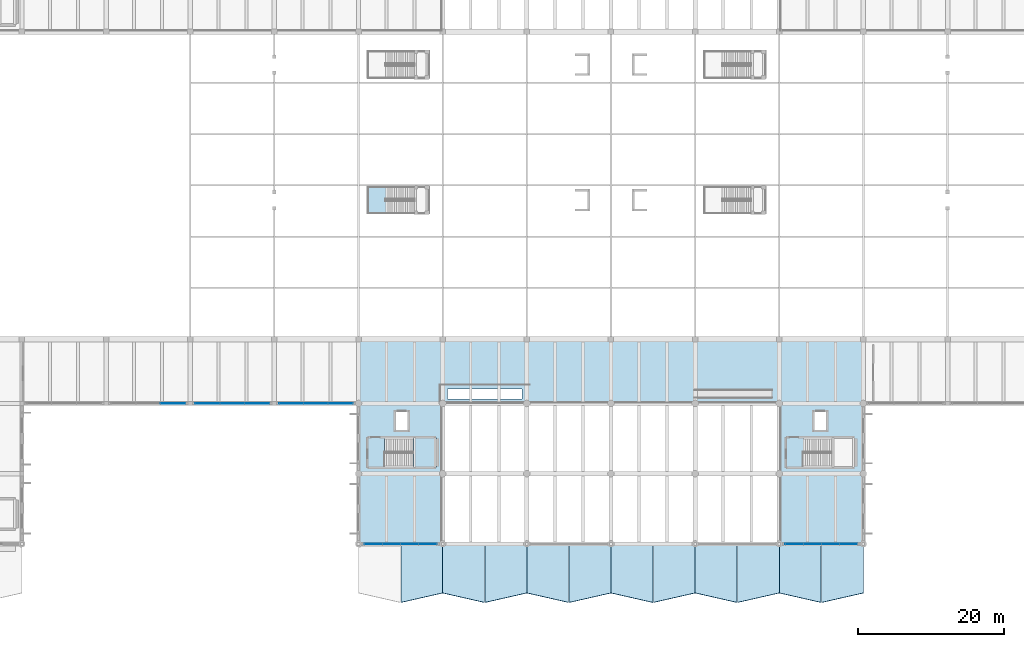
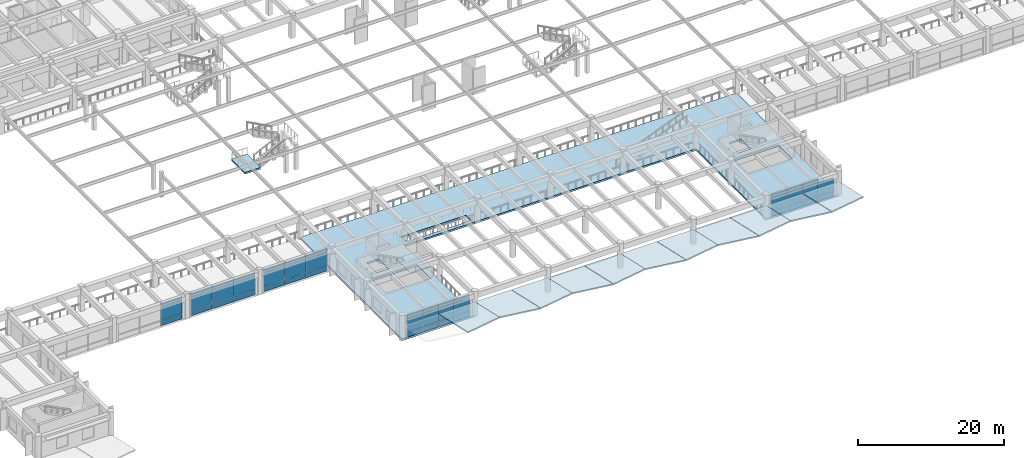
# One storey, part 64 of 98: 44 plates, 14 slabs, 6 elements without a shape of their own.
"""IFC4 building model written with IfcOpenShell, lengths in metres."""

from ifc_helpers import new_model, si_unit, direction, frame, origin, origin_2d, place, context, subcontext, project, spatial, polyline, rectangle, outline, extrude, material, layer, layer_set, type_object, element, aggregate, save


model = new_model("IFC4")

# Units and contexts
model_context = context("Model", 3, precision=1e-05, world=origin(), true_north=direction((0.0, 1.0)))
body_context = subcontext(model_context, "Body", "Model", "MODEL_VIEW")
ifc_project = project(units=[si_unit("LENGTHUNIT", "METRE"), si_unit("AREAUNIT", "SQUARE_METRE"), si_unit("VOLUMEUNIT", "CUBIC_METRE"), si_unit("PLANEANGLEUNIT", "RADIAN"), si_unit("MASSUNIT", "GRAM", prefix="KILO")], contexts=[model_context])

# Site, building, storey
site_placement = place(None, origin())
site = spatial("IfcSite", under=ifc_project, at=site_placement, CompositionType="ELEMENT")
building_placement = place(site_placement, origin())
building = spatial("IfcBuilding", under=site, at=building_placement, Name="Ologun Quay Terminus", CompositionType="ELEMENT")
storey_placement = place(building_placement, frame((0.0, 0.0, 4.199951171875)))
storey = spatial("IfcBuildingStorey", under=building, at=storey_placement, Name="L01", CompositionType="ELEMENT", Elevation=4.199951171875)

# Curtain wall, plates
ifc_material_1 = material(Name="Aluminium 6063-T6", Category="aluminium")
curtain_wall_type_1 = type_object("IfcCurtainWallType", Name="Ticket Hall Upper Portal Curtain Wall 10700x3800", PredefinedType="USERDEFINED", material=ifc_material_1)
curtain_wall_1_placement = place(storey_placement, origin())
curtain_wall_1 = element("IfcCurtainWall", 1, at=curtain_wall_1_placement, inside=storey, type_object=curtain_wall_type_1, Name="CW-02 Curtain Wall CW-L01-014", ObjectType="UNITISED CURTAIN WALL", PredefinedType="USERDEFINED")
ifc_material_2 = material(Name="Glass", Category="glass")
ifc_layer_1 = layer(ifc_material_2, 0.031982421875)
ifc_layer_set_1 = layer_set([ifc_layer_1], Name="Glass")
plate_type_1 = type_object("IfcPlateType", Name="Acoustic Low-E Laminated Glazed Panel 32", PredefinedType="CURTAIN_PANEL", material=ifc_layer_set_1)
plate_1_placement = place(storey_placement, frame((59.552490234375, 8.0, 0.93017578125), z_axis=(0.0, 0.0, 1.0), x_axis=(1.0, 0.0, 0.0)))
plate_1 = element("IfcPlate", 2, at=plate_1_placement, type_object=plate_type_1, Name="CW-L01-014 Panel B1-2", PredefinedType="CURTAIN_PANEL", context=body_context, shape_type="SweptSolid", body=[
    extrude(rectangle(XDim=2.465087890625, YDim=0.031982421875, at=origin_2d()), origin(), (0.0, 0.0, 1.0), 2.179931640625),
])
plate_2_placement = place(storey_placement, frame((59.552490234375, 8.0, 3.169921875), z_axis=(0.0, 0.0, 1.0), x_axis=(1.0, 0.0, 0.0)))
plate_2 = element("IfcPlate", 3, at=plate_2_placement, type_object=plate_type_1, Name="CW-L01-014 Panel B1-3", PredefinedType="CURTAIN_PANEL", context=body_context, shape_type="SweptSolid", body=[
    extrude(rectangle(XDim=2.465087890625, YDim=0.031982421875, at=origin_2d()), origin(), (0.0, 0.0, 1.0), 0.639892578125),
])
plate_3_placement = place(storey_placement, frame((62.017578125, 8.0, 0.93017578125), z_axis=(0.0, 0.0, 1.0), x_axis=(1.0, 0.0, 0.0)))
plate_3 = element("IfcPlate", 4, at=plate_3_placement, type_object=plate_type_1, Name="CW-L01-014 Panel B2-2", PredefinedType="CURTAIN_PANEL", context=body_context, shape_type="SweptSolid", body=[
    extrude(rectangle(XDim=2.465087890625, YDim=0.031982421875, at=origin_2d()), origin(), (0.0, 0.0, 1.0), 2.179931640625),
])
plate_4_placement = place(storey_placement, frame((62.017578125, 8.0, 3.169921875), z_axis=(0.0, 0.0, 1.0), x_axis=(1.0, 0.0, 0.0)))
plate_4 = element("IfcPlate", 5, at=plate_4_placement, type_object=plate_type_1, Name="CW-L01-014 Panel B2-3", PredefinedType="CURTAIN_PANEL", context=body_context, shape_type="SweptSolid", body=[
    extrude(rectangle(XDim=2.465087890625, YDim=0.031982421875, at=origin_2d()), origin(), (0.0, 0.0, 1.0), 0.639892578125),
])
plate_5_placement = place(storey_placement, frame((64.482421875, 8.0, 0.93017578125), z_axis=(0.0, 0.0, 1.0), x_axis=(1.0, 0.0, 0.0)))
plate_5 = element("IfcPlate", 6, at=plate_5_placement, type_object=plate_type_1, Name="CW-L01-014 Panel B3-2", PredefinedType="CURTAIN_PANEL", context=body_context, shape_type="SweptSolid", body=[
    extrude(rectangle(XDim=2.465087890625, YDim=0.031982421875, at=origin_2d()), origin(), (0.0, 0.0, 1.0), 2.179931640625),
])
plate_6_placement = place(storey_placement, frame((64.482421875, 8.0, 3.169921875), z_axis=(0.0, 0.0, 1.0), x_axis=(1.0, 0.0, 0.0)))
plate_6 = element("IfcPlate", 7, at=plate_6_placement, type_object=plate_type_1, Name="CW-L01-014 Panel B3-3", PredefinedType="CURTAIN_PANEL", context=body_context, shape_type="SweptSolid", body=[
    extrude(rectangle(XDim=2.465087890625, YDim=0.031982421875, at=origin_2d()), origin(), (0.0, 0.0, 1.0), 0.639892578125),
])
plate_7_placement = place(storey_placement, frame((66.947509765625, 8.0, 0.93017578125), z_axis=(0.0, 0.0, 1.0), x_axis=(1.0, 0.0, 0.0)))
plate_7 = element("IfcPlate", 8, at=plate_7_placement, type_object=plate_type_1, Name="CW-L01-014 Panel B4-2", PredefinedType="CURTAIN_PANEL", context=body_context, shape_type="SweptSolid", body=[
    extrude(rectangle(XDim=2.465087890625, YDim=0.031982421875, at=origin_2d()), origin(), (0.0, 0.0, 1.0), 2.179931640625),
])
plate_8_placement = place(storey_placement, frame((66.947509765625, 8.0, 3.169921875), z_axis=(0.0, 0.0, 1.0), x_axis=(1.0, 0.0, 0.0)))
plate_8 = element("IfcPlate", 9, at=plate_8_placement, type_object=plate_type_1, Name="CW-L01-014 Panel B4-3", PredefinedType="CURTAIN_PANEL", context=body_context, shape_type="SweptSolid", body=[
    extrude(rectangle(XDim=2.465087890625, YDim=0.031982421875, at=origin_2d()), origin(), (0.0, 0.0, 1.0), 0.639892578125),
])

curtain_wall_2_placement = place(storey_placement, origin())
curtain_wall_2 = element("IfcCurtainWall", 10, at=curtain_wall_2_placement, inside=storey, type_object=curtain_wall_type_1, Name="CW-02 Curtain Wall CW-L01-015", ObjectType="UNITISED CURTAIN WALL", PredefinedType="USERDEFINED")
plate_9_placement = place(storey_placement, frame((117.052490234375, 8.0, 0.93017578125), z_axis=(0.0, 0.0, 1.0), x_axis=(1.0, 0.0, 0.0)))
plate_9 = element("IfcPlate", 11, at=plate_9_placement, type_object=plate_type_1, Name="CW-L01-015 Panel B1-2", PredefinedType="CURTAIN_PANEL", context=body_context, shape_type="SweptSolid", body=[
    extrude(rectangle(XDim=2.465087890625, YDim=0.031982421875, at=origin_2d()), origin(), (0.0, 0.0, 1.0), 2.179931640625),
])
plate_10_placement = place(storey_placement, frame((117.052490234375, 8.0, 3.169921875), z_axis=(0.0, 0.0, 1.0), x_axis=(1.0, 0.0, 0.0)))
plate_10 = element("IfcPlate", 12, at=plate_10_placement, type_object=plate_type_1, Name="CW-L01-015 Panel B1-3", PredefinedType="CURTAIN_PANEL", context=body_context, shape_type="SweptSolid", body=[
    extrude(rectangle(XDim=2.465087890625, YDim=0.031982421875, at=origin_2d()), origin(), (0.0, 0.0, 1.0), 0.639892578125),
])
plate_11_placement = place(storey_placement, frame((119.517578125, 8.0, 0.93017578125), z_axis=(0.0, 0.0, 1.0), x_axis=(1.0, 0.0, 0.0)))
plate_11 = element("IfcPlate", 13, at=plate_11_placement, type_object=plate_type_1, Name="CW-L01-015 Panel B2-2", PredefinedType="CURTAIN_PANEL", context=body_context, shape_type="SweptSolid", body=[
    extrude(rectangle(XDim=2.465087890625, YDim=0.031982421875, at=origin_2d()), origin(), (0.0, 0.0, 1.0), 2.179931640625),
])
plate_12_placement = place(storey_placement, frame((119.517578125, 8.0, 3.169921875), z_axis=(0.0, 0.0, 1.0), x_axis=(1.0, 0.0, 0.0)))
plate_12 = element("IfcPlate", 14, at=plate_12_placement, type_object=plate_type_1, Name="CW-L01-015 Panel B2-3", PredefinedType="CURTAIN_PANEL", context=body_context, shape_type="SweptSolid", body=[
    extrude(rectangle(XDim=2.465087890625, YDim=0.031982421875, at=origin_2d()), origin(), (0.0, 0.0, 1.0), 0.639892578125),
])
plate_13_placement = place(storey_placement, frame((121.982421875, 8.0, 0.93017578125), z_axis=(0.0, 0.0, 1.0), x_axis=(1.0, 0.0, 0.0)))
plate_13 = element("IfcPlate", 15, at=plate_13_placement, type_object=plate_type_1, Name="CW-L01-015 Panel B3-2", PredefinedType="CURTAIN_PANEL", context=body_context, shape_type="SweptSolid", body=[
    extrude(rectangle(XDim=2.465087890625, YDim=0.031982421875, at=origin_2d()), origin(), (0.0, 0.0, 1.0), 2.179931640625),
])
plate_14_placement = place(storey_placement, frame((121.982421875, 8.0, 3.169921875), z_axis=(0.0, 0.0, 1.0), x_axis=(1.0, 0.0, 0.0)))
plate_14 = element("IfcPlate", 16, at=plate_14_placement, type_object=plate_type_1, Name="CW-L01-015 Panel B3-3", PredefinedType="CURTAIN_PANEL", context=body_context, shape_type="SweptSolid", body=[
    extrude(rectangle(XDim=2.465087890625, YDim=0.031982421875, at=origin_2d()), origin(), (0.0, 0.0, 1.0), 0.639892578125),
])
plate_15_placement = place(storey_placement, frame((124.447509765625, 8.0, 0.93017578125), z_axis=(0.0, 0.0, 1.0), x_axis=(1.0, 0.0, 0.0)))
plate_15 = element("IfcPlate", 17, at=plate_15_placement, type_object=plate_type_1, Name="CW-L01-015 Panel B4-2", PredefinedType="CURTAIN_PANEL", context=body_context, shape_type="SweptSolid", body=[
    extrude(rectangle(XDim=2.465087890625, YDim=0.031982421875, at=origin_2d()), origin(), (0.0, 0.0, 1.0), 2.179931640625),
])

# Slabs
ifc_material_3 = material(Name="Concrete C45/55", Category="concrete")
ifc_layer_2 = layer(ifc_material_3, 0.179931640625)
ifc_layer_set_2 = layer_set([ifc_layer_2], Name="Concrete C45/55")
slab_type_1 = type_object("IfcSlabType", Name="Folded Plate Concrete Canopy Slab 180", PredefinedType="ROOF", material=ifc_layer_set_2)
slab_1_placement = place(storey_placement, frame((63.280029296875, 0.0, 4.0), z_axis=(-3.569272e-06, 0.219520291869, 0.975607934288), x_axis=(0.97392089365, 0.221354342059, -0.049803093927)))
element("IfcSlab", 18, at=slab_1_placement, inside=storey, type_object=slab_type_1, Name="SL-CNP South Gull-Wing Canopy Bay 6E", PredefinedType="ROOF", context=body_context, shape_type="SweptSolid", body=[
    extrude(outline(polyline([(0.0, 0.0), (5.873136864087274, 6.938893903907228e-17), (7.431281716165817, 6.6883699571137765), (1.8604827373291908, 7.986161766913907), (0.0, 0.0)])), origin(), (0.0, 0.0, -1.0), 0.179931640625),
])
slab_2_placement = place(storey_placement, frame((69.0, 1.300048828125, 3.70751953125), z_axis=(3.569272e-06, 0.219520291869, 0.975607934288), x_axis=(0.97392089365, -0.221354342059, 0.049803093927)))
element("IfcSlab", 19, at=slab_2_placement, inside=storey, type_object=slab_type_1, Name="SL-CNP South Gull-Wing Canopy Bay 7W", PredefinedType="ROOF", context=body_context, shape_type="SweptSolid", body=[
    extrude(outline(polyline([(0.0, 0.0), (5.873136864087274, -6.938893903907228e-17), (4.012654126758083, 7.986161766913908), (-1.5581448520785426, 6.6883699571137765), (0.0, 0.0)])), origin(), (0.0, 0.0, -1.0), 0.179931640625),
])
slab_3_placement = place(storey_placement, frame((74.780029296875, 0.0, 4.0), z_axis=(-3.569272e-06, 0.219520291869, 0.975607934288), x_axis=(0.97392089365, 0.221354342059, -0.049803093927)))
element("IfcSlab", 20, at=slab_3_placement, inside=storey, type_object=slab_type_1, Name="SL-CNP South Gull-Wing Canopy Bay 7E", PredefinedType="ROOF", context=body_context, shape_type="SweptSolid", body=[
    extrude(outline(polyline([(0.0, 0.0), (5.873136864087274, 6.938893903907228e-17), (7.431281716165817, 6.6883699571137765), (1.8604827373291908, 7.986161766913907), (0.0, 0.0)])), origin(), (0.0, 0.0, -1.0), 0.179931640625),
])
slab_4_placement = place(storey_placement, frame((80.5, 1.300048828125, 3.70751953125), z_axis=(3.569272e-06, 0.219520291869, 0.975607934288), x_axis=(0.97392089365, -0.221354342059, 0.049803093927)))
element("IfcSlab", 21, at=slab_4_placement, inside=storey, type_object=slab_type_1, Name="SL-CNP South Gull-Wing Canopy Bay 8W", PredefinedType="ROOF", context=body_context, shape_type="SweptSolid", body=[
    extrude(outline(polyline([(0.0, 0.0), (5.873136864087274, -6.938893903907228e-17), (4.012654126758083, 7.986161766913908), (-1.5581448520785426, 6.6883699571137765), (0.0, 0.0)])), origin(), (0.0, 0.0, -1.0), 0.179931640625),
])
slab_5_placement = place(storey_placement, frame((86.280029296875, 0.0, 4.0), z_axis=(-3.569272e-06, 0.219520291869, 0.975607934288), x_axis=(0.97392089365, 0.221354342059, -0.049803093927)))
element("IfcSlab", 22, at=slab_5_placement, inside=storey, type_object=slab_type_1, Name="SL-CNP South Gull-Wing Canopy Bay 8E", PredefinedType="ROOF", context=body_context, shape_type="SweptSolid", body=[
    extrude(outline(polyline([(0.0, 0.0), (5.873136864087274, 6.938893903907228e-17), (7.431281716165817, 6.6883699571137765), (1.8604827373291908, 7.986161766913907), (0.0, 0.0)])), origin(), (0.0, 0.0, -1.0), 0.179931640625),
])
slab_6_placement = place(storey_placement, frame((92.0, 1.300048828125, 3.70751953125), z_axis=(3.569272e-06, 0.219520291869, 0.975607934288), x_axis=(0.97392089365, -0.221354342059, 0.049803093927)))
element("IfcSlab", 23, at=slab_6_placement, inside=storey, type_object=slab_type_1, Name="SL-CNP South Gull-Wing Canopy Bay 9W", PredefinedType="ROOF", context=body_context, shape_type="SweptSolid", body=[
    extrude(outline(polyline([(0.0, 0.0), (5.873136864087274, -6.938893903907228e-17), (4.012654126758083, 7.986161766913908), (-1.5581448520785426, 6.6883699571137765), (0.0, 0.0)])), origin(), (0.0, 0.0, -1.0), 0.179931640625),
])
slab_7_placement = place(storey_placement, frame((97.780029296875, 0.0, 4.0), z_axis=(-3.569272e-06, 0.219520291869, 0.975607934288), x_axis=(0.97392089365, 0.221354342059, -0.049803093927)))
element("IfcSlab", 24, at=slab_7_placement, inside=storey, type_object=slab_type_1, Name="SL-CNP South Gull-Wing Canopy Bay 9E", PredefinedType="ROOF", context=body_context, shape_type="SweptSolid", body=[
    extrude(outline(polyline([(0.0, 0.0), (5.873136864087274, 6.938893903907228e-17), (7.431281716165817, 6.6883699571137765), (1.8604827373291908, 7.986161766913907), (0.0, 0.0)])), origin(), (0.0, 0.0, -1.0), 0.179931640625),
])
slab_8_placement = place(storey_placement, frame((103.5, 1.300048828125, 3.70751953125), z_axis=(3.569272e-06, 0.219520291869, 0.975607934288), x_axis=(0.97392089365, -0.221354342059, 0.049803093927)))
element("IfcSlab", 25, at=slab_8_placement, inside=storey, type_object=slab_type_1, Name="SL-CNP South Gull-Wing Canopy Bay 10W", PredefinedType="ROOF", context=body_context, shape_type="SweptSolid", body=[
    extrude(outline(polyline([(0.0, 0.0), (5.873136864087274, -6.938893903907228e-17), (4.012654126758083, 7.986161766913908), (-1.5581448520785426, 6.6883699571137765), (0.0, 0.0)])), origin(), (0.0, 0.0, -1.0), 0.179931640625),
])
slab_9_placement = place(storey_placement, frame((109.280029296875, 0.0, 4.0), z_axis=(-3.569272e-06, 0.219520291869, 0.975607934288), x_axis=(0.97392089365, 0.221354342059, -0.049803093927)))
element("IfcSlab", 26, at=slab_9_placement, inside=storey, type_object=slab_type_1, Name="SL-CNP South Gull-Wing Canopy Bay 10E", PredefinedType="ROOF", context=body_context, shape_type="SweptSolid", body=[
    extrude(outline(polyline([(0.0, 0.0), (5.873136864087274, 6.938893903907228e-17), (7.431281716165817, 6.6883699571137765), (1.8604827373291908, 7.986161766913907), (0.0, 0.0)])), origin(), (0.0, 0.0, -1.0), 0.179931640625),
])
slab_10_placement = place(storey_placement, frame((115.0, 1.300048828125, 3.70751953125), z_axis=(3.569272e-06, 0.219520291869, 0.975607934288), x_axis=(0.97392089365, -0.221354342059, 0.049803093927)))
element("IfcSlab", 27, at=slab_10_placement, inside=storey, type_object=slab_type_1, Name="SL-CNP South Gull-Wing Canopy Bay 11W", PredefinedType="ROOF", context=body_context, shape_type="SweptSolid", body=[
    extrude(outline(polyline([(0.0, 0.0), (5.873136864087274, -6.938893903907228e-17), (4.012654126758083, 7.986161766913908), (-1.5581448520785426, 6.6883699571137765), (0.0, 0.0)])), origin(), (0.0, 0.0, -1.0), 0.179931640625),
])
slab_11_placement = place(storey_placement, frame((120.780029296875, 0.0, 4.0), z_axis=(-3.569272e-06, 0.219520291869, 0.975607934288), x_axis=(0.97392089365, 0.221354342059, -0.049803093927)))
element("IfcSlab", 28, at=slab_11_placement, inside=storey, type_object=slab_type_1, Name="SL-CNP South Gull-Wing Canopy Bay 11E", PredefinedType="ROOF", context=body_context, shape_type="SweptSolid", body=[
    extrude(outline(polyline([(0.0, 0.0), (5.873136864087274, 6.938893903907228e-17), (7.431281716165817, 6.6883699571137765), (1.8604827373291908, 7.986161766913907), (0.0, 0.0)])), origin(), (0.0, 0.0, -1.0), 0.179931640625),
])

# Curtain wall, plate
ifc_material_4 = material(Name="Aluminium 6063-T6", Category="aluminium")
curtain_wall_type_2 = type_object("IfcCurtainWallType", Name="Forecourt Mezzanine Curtain Wall 10700x3850", PredefinedType="USERDEFINED", material=ifc_material_4)
curtain_wall_3_placement = place(storey_placement, origin())
curtain_wall_3 = element("IfcCurtainWall", 29, at=curtain_wall_3_placement, inside=storey, type_object=curtain_wall_type_2, Name="CW-04 Curtain Wall CW-L01-011", ObjectType="UNITISED CURTAIN WALL", PredefinedType="USERDEFINED")
ifc_material_5 = material(Name="Aluminium 6063-T6", Category="aluminium")
ifc_layer_3 = layer(ifc_material_5, 0.050048828125)
ifc_layer_set_3 = layer_set([ifc_layer_3], Name="Aluminium 6063-T6")
plate_type_2 = type_object("IfcPlateType", Name="Insulated Aluminium Shadow-Box Spandrel 50", PredefinedType="CURTAIN_PANEL", material=ifc_layer_set_3)
plate_16_placement = place(storey_placement, frame((32.13671875, 27.199951171875, 0.02978515625), z_axis=(0.0, 0.0, 1.0), x_axis=(1.0, 0.0, 0.0)))
plate_16 = element("IfcPlate", 30, at=plate_16_placement, type_object=plate_type_2, Name="CW-L01-011 Panel B3-1", PredefinedType="CURTAIN_PANEL", context=body_context, shape_type="SweptSolid", body=[
    extrude(rectangle(XDim=3.38671875, YDim=0.050048828125, at=origin_2d()), origin(), (0.0, 0.0, 1.0), 0.840087890625),
])

# Curtain wall, plates
curtain_wall_4_placement = place(storey_placement, origin())
curtain_wall_4 = element("IfcCurtainWall", 31, at=curtain_wall_4_placement, inside=storey, type_object=curtain_wall_type_2, Name="CW-04 Curtain Wall CW-L01-012", ObjectType="UNITISED CURTAIN WALL", PredefinedType="USERDEFINED")
plate_17_placement = place(storey_placement, frame((36.86328125, 27.199951171875, 0.02978515625), z_axis=(0.0, 0.0, 1.0), x_axis=(1.0, 0.0, 0.0)))
plate_17 = element("IfcPlate", 32, at=plate_17_placement, type_object=plate_type_2, Name="CW-L01-012 Panel B1-1", PredefinedType="CURTAIN_PANEL", context=body_context, shape_type="SweptSolid", body=[
    extrude(rectangle(XDim=3.38671875, YDim=0.050048828125, at=origin_2d()), origin(), (0.0, 0.0, 1.0), 0.840087890625),
])
plate_18_placement = place(storey_placement, frame((40.25, 27.199951171875, 0.02978515625), z_axis=(0.0, 0.0, 1.0), x_axis=(1.0, 0.0, 0.0)))
plate_18 = element("IfcPlate", 33, at=plate_18_placement, type_object=plate_type_2, Name="CW-L01-012 Panel B2-1", PredefinedType="CURTAIN_PANEL", context=body_context, shape_type="SweptSolid", body=[
    extrude(rectangle(XDim=3.38671875, YDim=0.050048828125, at=origin_2d()), origin(), (0.0, 0.0, 1.0), 0.840087890625),
])
plate_19_placement = place(storey_placement, frame((43.63671875, 27.199951171875, 0.02978515625), z_axis=(0.0, 0.0, 1.0), x_axis=(1.0, 0.0, 0.0)))
plate_19 = element("IfcPlate", 34, at=plate_19_placement, type_object=plate_type_2, Name="CW-L01-012 Panel B3-1", PredefinedType="CURTAIN_PANEL", context=body_context, shape_type="SweptSolid", body=[
    extrude(rectangle(XDim=3.38671875, YDim=0.050048828125, at=origin_2d()), origin(), (0.0, 0.0, 1.0), 0.840087890625),
])

curtain_wall_5_placement = place(storey_placement, origin())
curtain_wall_5 = element("IfcCurtainWall", 35, at=curtain_wall_5_placement, inside=storey, type_object=curtain_wall_type_2, Name="CW-04 Curtain Wall CW-L01-013", ObjectType="UNITISED CURTAIN WALL", PredefinedType="USERDEFINED")
plate_20_placement = place(storey_placement, frame((48.33837890625, 27.199951171875, 0.02978515625), z_axis=(0.0, 0.0, 1.0), x_axis=(1.0, 0.0, 0.0)))
plate_20 = element("IfcPlate", 36, at=plate_20_placement, type_object=plate_type_2, Name="CW-L01-013 Panel B1-1", PredefinedType="CURTAIN_PANEL", context=body_context, shape_type="SweptSolid", body=[
    extrude(rectangle(XDim=3.336669921875, YDim=0.050048828125, at=origin_2d()), origin(), (0.0, 0.0, 1.0), 0.840087890625),
])
plate_21_placement = place(storey_placement, frame((51.675048828125, 27.199951171875, 0.02978515625), z_axis=(0.0, 0.0, 1.0), x_axis=(1.0, 0.0, 0.0)))
plate_21 = element("IfcPlate", 37, at=plate_21_placement, type_object=plate_type_2, Name="CW-L01-013 Panel B2-1", PredefinedType="CURTAIN_PANEL", context=body_context, shape_type="SweptSolid", body=[
    extrude(rectangle(XDim=3.336669921875, YDim=0.050048828125, at=origin_2d()), origin(), (0.0, 0.0, 1.0), 0.840087890625),
])
plate_22_placement = place(storey_placement, frame((55.01171875, 27.199951171875, 0.02978515625), z_axis=(0.0, 0.0, 1.0), x_axis=(1.0, 0.0, 0.0)))
plate_22 = element("IfcPlate", 38, at=plate_22_placement, type_object=plate_type_2, Name="CW-L01-013 Panel B3-1", PredefinedType="CURTAIN_PANEL", context=body_context, shape_type="SweptSolid", body=[
    extrude(rectangle(XDim=3.336669921875, YDim=0.050048828125, at=origin_2d()), origin(), (0.0, 0.0, 1.0), 0.840087890625),
])

# Plate
plate_23_placement = place(storey_placement, frame((59.552490234375, 8.0, 0.02978515625), z_axis=(0.0, 0.0, 1.0), x_axis=(1.0, 0.0, 0.0)))
plate_23 = element("IfcPlate", 39, at=plate_23_placement, type_object=plate_type_2, Name="CW-L01-014 Panel B1-1", PredefinedType="CURTAIN_PANEL", context=body_context, shape_type="SweptSolid", body=[
    extrude(rectangle(XDim=2.465087890625, YDim=0.050048828125, at=origin_2d()), origin(), (0.0, 0.0, 1.0), 0.840087890625),
])

plate_24_placement = place(storey_placement, frame((62.017578125, 8.0, 0.02978515625), z_axis=(0.0, 0.0, 1.0), x_axis=(1.0, 0.0, 0.0)))
plate_24 = element("IfcPlate", 40, at=plate_24_placement, type_object=plate_type_2, Name="CW-L01-014 Panel B2-1", PredefinedType="CURTAIN_PANEL", context=body_context, shape_type="SweptSolid", body=[
    extrude(rectangle(XDim=2.465087890625, YDim=0.050048828125, at=origin_2d()), origin(), (0.0, 0.0, 1.0), 0.840087890625),
])

plate_25_placement = place(storey_placement, frame((64.482421875, 8.0, 0.02978515625), z_axis=(0.0, 0.0, 1.0), x_axis=(1.0, 0.0, 0.0)))
plate_25 = element("IfcPlate", 41, at=plate_25_placement, type_object=plate_type_2, Name="CW-L01-014 Panel B3-1", PredefinedType="CURTAIN_PANEL", context=body_context, shape_type="SweptSolid", body=[
    extrude(rectangle(XDim=2.465087890625, YDim=0.050048828125, at=origin_2d()), origin(), (0.0, 0.0, 1.0), 0.840087890625),
])

plate_26_placement = place(storey_placement, frame((66.947509765625, 8.0, 0.02978515625), z_axis=(0.0, 0.0, 1.0), x_axis=(1.0, 0.0, 0.0)))
plate_26 = element("IfcPlate", 42, at=plate_26_placement, type_object=plate_type_2, Name="CW-L01-014 Panel B4-1", PredefinedType="CURTAIN_PANEL", context=body_context, shape_type="SweptSolid", body=[
    extrude(rectangle(XDim=2.465087890625, YDim=0.050048828125, at=origin_2d()), origin(), (0.0, 0.0, 1.0), 0.840087890625),
])

aggregate(curtain_wall_1, [plate_23, plate_1, plate_2, plate_24, plate_3, plate_4, plate_25, plate_5, plate_6, plate_26, plate_7, plate_8])

plate_27_placement = place(storey_placement, frame((117.052490234375, 8.0, 0.02978515625), z_axis=(0.0, 0.0, 1.0), x_axis=(1.0, 0.0, 0.0)))
plate_27 = element("IfcPlate", 43, at=plate_27_placement, type_object=plate_type_2, Name="CW-L01-015 Panel B1-1", PredefinedType="CURTAIN_PANEL", context=body_context, shape_type="SweptSolid", body=[
    extrude(rectangle(XDim=2.465087890625, YDim=0.050048828125, at=origin_2d()), origin(), (0.0, 0.0, 1.0), 0.840087890625),
])

plate_28_placement = place(storey_placement, frame((119.517578125, 8.0, 0.02978515625), z_axis=(0.0, 0.0, 1.0), x_axis=(1.0, 0.0, 0.0)))
plate_28 = element("IfcPlate", 44, at=plate_28_placement, type_object=plate_type_2, Name="CW-L01-015 Panel B2-1", PredefinedType="CURTAIN_PANEL", context=body_context, shape_type="SweptSolid", body=[
    extrude(rectangle(XDim=2.465087890625, YDim=0.050048828125, at=origin_2d()), origin(), (0.0, 0.0, 1.0), 0.840087890625),
])

plate_29_placement = place(storey_placement, frame((121.982421875, 8.0, 0.02978515625), z_axis=(0.0, 0.0, 1.0), x_axis=(1.0, 0.0, 0.0)))
plate_29 = element("IfcPlate", 45, at=plate_29_placement, type_object=plate_type_2, Name="CW-L01-015 Panel B3-1", PredefinedType="CURTAIN_PANEL", context=body_context, shape_type="SweptSolid", body=[
    extrude(rectangle(XDim=2.465087890625, YDim=0.050048828125, at=origin_2d()), origin(), (0.0, 0.0, 1.0), 0.840087890625),
])

plate_30_placement = place(storey_placement, frame((124.447509765625, 8.0, 0.02978515625), z_axis=(0.0, 0.0, 1.0), x_axis=(1.0, 0.0, 0.0)))
plate_30 = element("IfcPlate", 46, at=plate_30_placement, type_object=plate_type_2, Name="CW-L01-015 Panel B4-1", PredefinedType="CURTAIN_PANEL", context=body_context, shape_type="SweptSolid", body=[
    extrude(rectangle(XDim=2.465087890625, YDim=0.050048828125, at=origin_2d()), origin(), (0.0, 0.0, 1.0), 0.840087890625),
])

aggregate(curtain_wall_2, [plate_27, plate_9, plate_10, plate_28, plate_11, plate_12, plate_29, plate_13, plate_14, plate_30, plate_15])

# Slabs
ifc_material_6 = material(Name="Concrete C40/50", Category="concrete")
ifc_layer_4 = layer(ifc_material_6, 0.300048828125)
ifc_layer_set_4 = layer_set([ifc_layer_4], Name="Concrete C40/50")
slab_type_2 = type_object("IfcSlabType", Name="Passenger Platform Deck Slab 300", PredefinedType="FLOOR", material=ifc_layer_set_4)
slab_12_placement = place(storey_placement, frame((0.0, 0.0, -0.300048828125)))
element("IfcSlab", 47, at=slab_12_placement, inside=storey, type_object=slab_type_2, Name="SL-PLT Platform Transfer Bridge ST-P1", PredefinedType="FLOOR", context=body_context, shape_type="SweptSolid", body=[
    extrude(outline(polyline([(58.75, 53.14990234375), (61.219970703125, 53.14990234375), (61.219970703125, 56.85009765625), (58.75, 56.85009765625), (58.75, 53.14990234375)])), origin(), (0.0, 0.0, 1.0), 0.300048828125),
])
slab_13_placement = place(storey_placement, frame((0.0, 0.0, -0.300048828125)))
element("IfcSlab", 48, at=slab_13_placement, inside=storey, type_object=slab_type_2, Name="SL-PLT South Mezzanine Slab 2", PredefinedType="FLOOR", context=body_context, shape_type="SweptSolid", body=[
    extrude(outline(polyline([(57.5, 8.0), (69.0, 8.0), (69.0, 27.199951171875), (115.0, 27.199951171875), (115.0, 8.0), (126.5, 8.0), (126.5, 36.0), (57.5, 36.0), (57.5, 8.0)]), holes=[polyline([(62.449951171875, 23.449951171875), (62.449951171875, 26.14990234375), (64.35009765625, 26.14990234375), (64.35009765625, 23.449951171875), (62.449951171875, 23.449951171875)]), polyline([(119.64990234375, 23.449951171875), (119.64990234375, 26.14990234375), (121.550048828125, 26.14990234375), (121.550048828125, 23.449951171875), (119.64990234375, 23.449951171875)]), polyline([(61.080078125, 18.60009765625), (61.080078125, 22.39990234375), (68.10009765625, 22.39990234375), (68.10009765625, 18.60009765625), (61.080078125, 18.60009765625)]), polyline([(118.280029296875, 18.60009765625), (118.280029296875, 22.39990234375), (125.300048828125, 22.39990234375), (125.300048828125, 18.60009765625), (118.280029296875, 18.60009765625)]), polyline([(69.64990234375, 27.800048828125), (69.64990234375, 29.199951171875), (79.85009765625, 29.199951171875), (79.85009765625, 27.800048828125), (69.64990234375, 27.800048828125)])]), origin(), (0.0, 0.0, 1.0), 0.300048828125),
])

# Stair, slab
ifc_material_7 = material(Name="Concrete C40/50", Category="concrete")
stair_type = type_object("IfcStairType", Name="Station Concourse Escape Stair 1800", PredefinedType="HALF_TURN_STAIR", material=ifc_material_7)
stair_placement = place(storey_placement, origin())
stair = element("IfcStair", 49, at=stair_placement, inside=storey, type_object=stair_type, Name="ST-S3 Stair L01", PredefinedType="HALF_TURN_STAIR")
ifc_material_8 = material(Name="Precast Concrete C40/50", Category="concrete")
ifc_layer_5 = layer(ifc_material_8, 0.179931640625)
ifc_layer_set_5 = layer_set([ifc_layer_5], Name="Precast Concrete C40/50")
slab_type_3 = type_object("IfcSlabType", Name="Precast Stair Half-Landing Slab 180", PredefinedType="LANDING", material=ifc_layer_set_5)
slab_14_placement = place(storey_placement, frame((0.0, 0.0, 1.920166015625)))
slab_14 = element("IfcSlab", 50, at=slab_14_placement, type_object=slab_type_3, Name="ST-S3 Half-Landing L01", PredefinedType="LANDING", context=body_context, shape_type="SweptSolid", body=[
    extrude(outline(polyline([(64.919921875, 18.52001953125), (68.179931640625, 18.52001953125), (68.179931640625, 22.47998046875), (64.919921875, 22.47998046875), (64.919921875, 18.52001953125)])), origin(), (0.0, 0.0, 1.0), 0.179931640625),
])
aggregate(stair, [slab_14])

# Plate
ifc_material_9 = material(Name="Glass", Category="glass")
ifc_layer_6 = layer(ifc_material_9, 0.028076171875)
ifc_layer_set_6 = layer_set([ifc_layer_6], Name="Glass")
plate_type_3 = type_object("IfcPlateType", Name="Solar-Control Double Glazed Panel 28", PredefinedType="CURTAIN_PANEL", material=ifc_layer_set_6)
plate_31_placement = place(storey_placement, frame((32.13671875, 27.199951171875, 0.93017578125), z_axis=(0.0, 0.0, 1.0), x_axis=(1.0, 0.0, 0.0)))
plate_31 = element("IfcPlate", 51, at=plate_31_placement, type_object=plate_type_3, Name="CW-L01-011 Panel B3-2", PredefinedType="CURTAIN_PANEL", context=body_context, shape_type="SweptSolid", body=[
    extrude(rectangle(XDim=3.38671875, YDim=0.028076171875, at=origin_2d()), origin(), (0.0, 0.0, 1.0), 2.179931640625),
])

plate_32_placement = place(storey_placement, frame((32.13671875, 27.199951171875, 3.169921875), z_axis=(0.0, 0.0, 1.0), x_axis=(1.0, 0.0, 0.0)))
plate_32 = element("IfcPlate", 52, at=plate_32_placement, type_object=plate_type_3, Name="CW-L01-011 Panel B3-3", PredefinedType="CURTAIN_PANEL", context=body_context, shape_type="SweptSolid", body=[
    extrude(rectangle(XDim=3.38671875, YDim=0.028076171875, at=origin_2d()), origin(), (0.0, 0.0, 1.0), 0.639892578125),
])

aggregate(curtain_wall_3, [plate_16, plate_31, plate_32])

plate_33_placement = place(storey_placement, frame((36.86328125, 27.199951171875, 0.93017578125), z_axis=(0.0, 0.0, 1.0), x_axis=(1.0, 0.0, 0.0)))
plate_33 = element("IfcPlate", 53, at=plate_33_placement, type_object=plate_type_3, Name="CW-L01-012 Panel B1-2", PredefinedType="CURTAIN_PANEL", context=body_context, shape_type="SweptSolid", body=[
    extrude(rectangle(XDim=3.38671875, YDim=0.028076171875, at=origin_2d()), origin(), (0.0, 0.0, 1.0), 2.179931640625),
])

plate_34_placement = place(storey_placement, frame((36.86328125, 27.199951171875, 3.169921875), z_axis=(0.0, 0.0, 1.0), x_axis=(1.0, 0.0, 0.0)))
plate_34 = element("IfcPlate", 54, at=plate_34_placement, type_object=plate_type_3, Name="CW-L01-012 Panel B1-3", PredefinedType="CURTAIN_PANEL", context=body_context, shape_type="SweptSolid", body=[
    extrude(rectangle(XDim=3.38671875, YDim=0.028076171875, at=origin_2d()), origin(), (0.0, 0.0, 1.0), 0.639892578125),
])

plate_35_placement = place(storey_placement, frame((40.25, 27.199951171875, 0.93017578125), z_axis=(0.0, 0.0, 1.0), x_axis=(1.0, 0.0, 0.0)))
plate_35 = element("IfcPlate", 55, at=plate_35_placement, type_object=plate_type_3, Name="CW-L01-012 Panel B2-2", PredefinedType="CURTAIN_PANEL", context=body_context, shape_type="SweptSolid", body=[
    extrude(rectangle(XDim=3.38671875, YDim=0.028076171875, at=origin_2d()), origin(), (0.0, 0.0, 1.0), 2.179931640625),
])

plate_36_placement = place(storey_placement, frame((40.25, 27.199951171875, 3.169921875), z_axis=(0.0, 0.0, 1.0), x_axis=(1.0, 0.0, 0.0)))
plate_36 = element("IfcPlate", 56, at=plate_36_placement, type_object=plate_type_3, Name="CW-L01-012 Panel B2-3", PredefinedType="CURTAIN_PANEL", context=body_context, shape_type="SweptSolid", body=[
    extrude(rectangle(XDim=3.38671875, YDim=0.028076171875, at=origin_2d()), origin(), (0.0, 0.0, 1.0), 0.639892578125),
])

plate_37_placement = place(storey_placement, frame((43.63671875, 27.199951171875, 0.93017578125), z_axis=(0.0, 0.0, 1.0), x_axis=(1.0, 0.0, 0.0)))
plate_37 = element("IfcPlate", 57, at=plate_37_placement, type_object=plate_type_3, Name="CW-L01-012 Panel B3-2", PredefinedType="CURTAIN_PANEL", context=body_context, shape_type="SweptSolid", body=[
    extrude(rectangle(XDim=3.38671875, YDim=0.028076171875, at=origin_2d()), origin(), (0.0, 0.0, 1.0), 2.179931640625),
])

plate_38_placement = place(storey_placement, frame((43.63671875, 27.199951171875, 3.169921875), z_axis=(0.0, 0.0, 1.0), x_axis=(1.0, 0.0, 0.0)))
plate_38 = element("IfcPlate", 58, at=plate_38_placement, type_object=plate_type_3, Name="CW-L01-012 Panel B3-3", PredefinedType="CURTAIN_PANEL", context=body_context, shape_type="SweptSolid", body=[
    extrude(rectangle(XDim=3.38671875, YDim=0.028076171875, at=origin_2d()), origin(), (0.0, 0.0, 1.0), 0.639892578125),
])

aggregate(curtain_wall_4, [plate_17, plate_33, plate_34, plate_18, plate_35, plate_36, plate_19, plate_37, plate_38])

plate_39_placement = place(storey_placement, frame((48.33837890625, 27.199951171875, 0.93017578125), z_axis=(0.0, 0.0, 1.0), x_axis=(1.0, 0.0, 0.0)))
plate_39 = element("IfcPlate", 59, at=plate_39_placement, type_object=plate_type_3, Name="CW-L01-013 Panel B1-2", PredefinedType="CURTAIN_PANEL", context=body_context, shape_type="SweptSolid", body=[
    extrude(rectangle(XDim=3.336669921875, YDim=0.028076171875, at=origin_2d()), origin(), (0.0, 0.0, 1.0), 2.179931640625),
])

plate_40_placement = place(storey_placement, frame((48.33837890625, 27.199951171875, 3.169921875), z_axis=(0.0, 0.0, 1.0), x_axis=(1.0, 0.0, 0.0)))
plate_40 = element("IfcPlate", 60, at=plate_40_placement, type_object=plate_type_3, Name="CW-L01-013 Panel B1-3", PredefinedType="CURTAIN_PANEL", context=body_context, shape_type="SweptSolid", body=[
    extrude(rectangle(XDim=3.336669921875, YDim=0.028076171875, at=origin_2d()), origin(), (0.0, 0.0, 1.0), 0.639892578125),
])

plate_41_placement = place(storey_placement, frame((51.675048828125, 27.199951171875, 0.93017578125), z_axis=(0.0, 0.0, 1.0), x_axis=(1.0, 0.0, 0.0)))
plate_41 = element("IfcPlate", 61, at=plate_41_placement, type_object=plate_type_3, Name="CW-L01-013 Panel B2-2", PredefinedType="CURTAIN_PANEL", context=body_context, shape_type="SweptSolid", body=[
    extrude(rectangle(XDim=3.336669921875, YDim=0.028076171875, at=origin_2d()), origin(), (0.0, 0.0, 1.0), 2.179931640625),
])

plate_42_placement = place(storey_placement, frame((51.675048828125, 27.199951171875, 3.169921875), z_axis=(0.0, 0.0, 1.0), x_axis=(1.0, 0.0, 0.0)))
plate_42 = element("IfcPlate", 62, at=plate_42_placement, type_object=plate_type_3, Name="CW-L01-013 Panel B2-3", PredefinedType="CURTAIN_PANEL", context=body_context, shape_type="SweptSolid", body=[
    extrude(rectangle(XDim=3.336669921875, YDim=0.028076171875, at=origin_2d()), origin(), (0.0, 0.0, 1.0), 0.639892578125),
])

plate_43_placement = place(storey_placement, frame((55.01171875, 27.199951171875, 0.93017578125), z_axis=(0.0, 0.0, 1.0), x_axis=(1.0, 0.0, 0.0)))
plate_43 = element("IfcPlate", 63, at=plate_43_placement, type_object=plate_type_3, Name="CW-L01-013 Panel B3-2", PredefinedType="CURTAIN_PANEL", context=body_context, shape_type="SweptSolid", body=[
    extrude(rectangle(XDim=3.336669921875, YDim=0.028076171875, at=origin_2d()), origin(), (0.0, 0.0, 1.0), 2.179931640625),
])

plate_44_placement = place(storey_placement, frame((55.01171875, 27.199951171875, 3.169921875), z_axis=(0.0, 0.0, 1.0), x_axis=(1.0, 0.0, 0.0)))
plate_44 = element("IfcPlate", 64, at=plate_44_placement, type_object=plate_type_3, Name="CW-L01-013 Panel B3-3", PredefinedType="CURTAIN_PANEL", context=body_context, shape_type="SweptSolid", body=[
    extrude(rectangle(XDim=3.336669921875, YDim=0.028076171875, at=origin_2d()), origin(), (0.0, 0.0, 1.0), 0.639892578125),
])

aggregate(curtain_wall_5, [plate_20, plate_39, plate_40, plate_21, plate_41, plate_42, plate_22, plate_43, plate_44])

save(model, "model.ifc")
